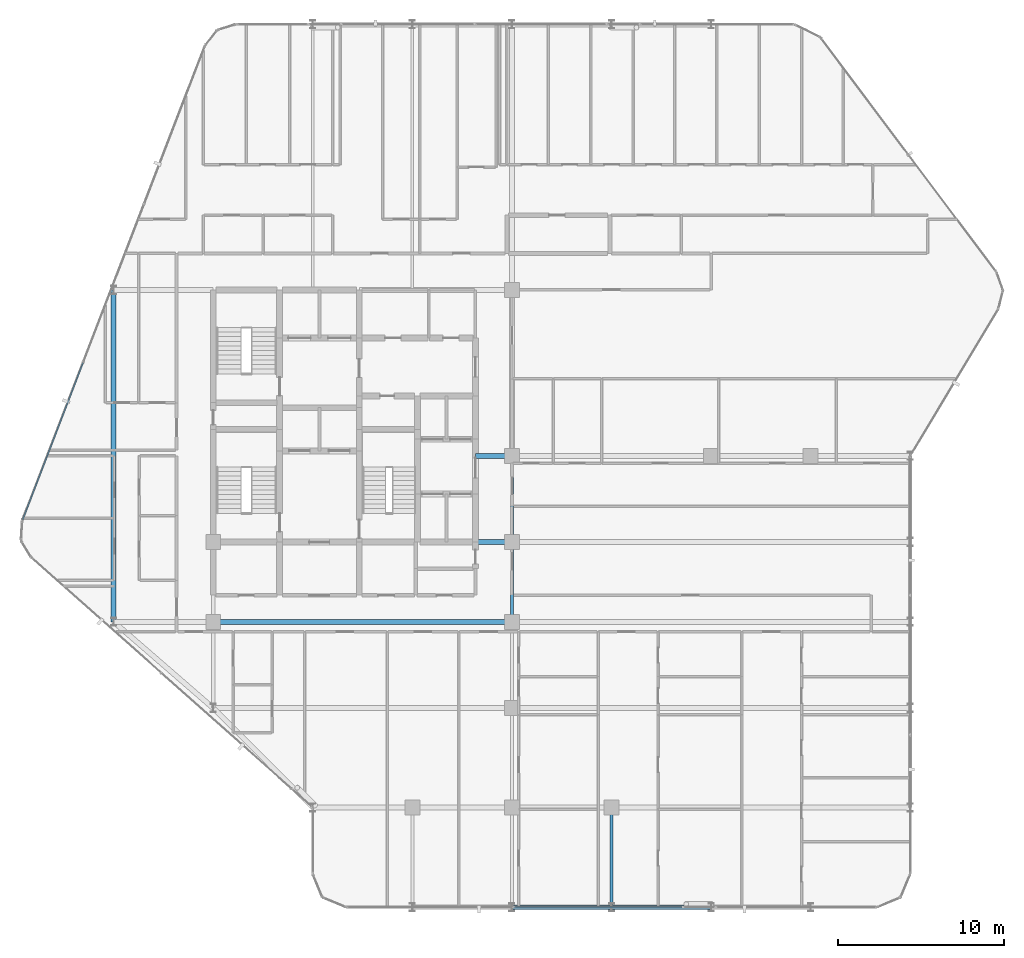
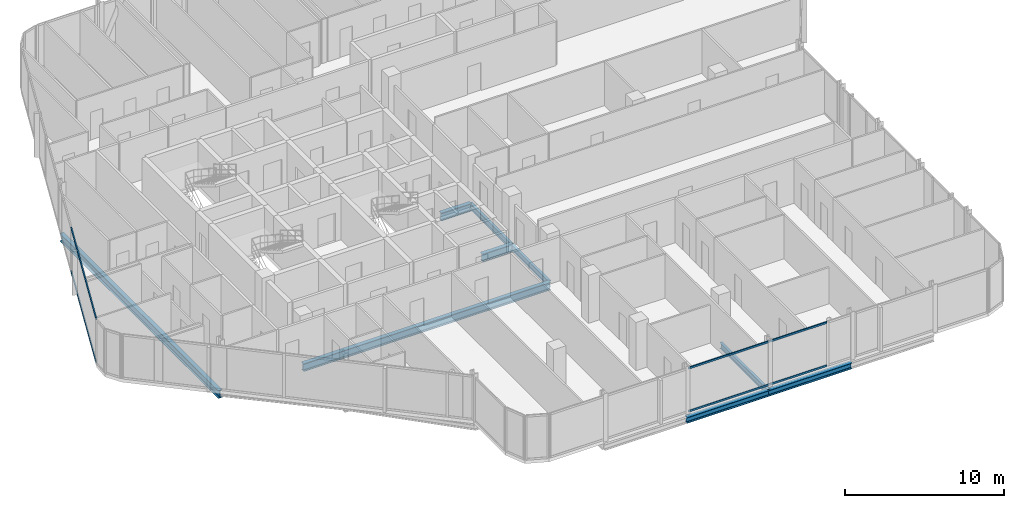
# One storey, part 8 of 31: 9 beams, 4 members, 2 elements without a shape of their own.
"""IFC4 building model written with IfcOpenShell, lengths in metres."""

from ifc_helpers import new_model, si_unit, direction, frame, origin, origin_2d, place, context, subcontext, project, spatial, hollow_rectangle, i_section, extrude, material, layer, layer_set, material_profile, profile_set, type_object, element, aggregate, save


model = new_model("IFC4")

# Units and contexts
model_context = context("Model", 3, precision=1e-05, world=origin(), true_north=direction((0.0, 1.0)))
body_context = subcontext(model_context, "Body", "Model", "MODEL_VIEW")
ifc_project = project(units=[si_unit("LENGTHUNIT", "METRE"), si_unit("AREAUNIT", "SQUARE_METRE"), si_unit("VOLUMEUNIT", "CUBIC_METRE"), si_unit("PLANEANGLEUNIT", "RADIAN"), si_unit("MASSUNIT", "GRAM", prefix="KILO")], contexts=[model_context])

# Site, building, storey
site_placement = place(None, origin())
site = spatial("IfcSite", under=ifc_project, at=site_placement, CompositionType="ELEMENT")
building_placement = place(site_placement, origin())
building = spatial("IfcBuilding", under=site, at=building_placement, Name="Keshet Zoharim Tower", CompositionType="ELEMENT")
storey_placement = place(building_placement, frame((0.0, 0.0, 148.300048828125)))
storey = spatial("IfcBuildingStorey", under=building, at=storey_placement, Name="L36", CompositionType="ELEMENT", Elevation=148.300048828125)

# Beams
ifc_material_1 = material(Name="Steel S355", Category="steel")
ifc_material_profile_1 = material_profile(ifc_material_1, i_section(OverallWidth=0.300048828125, OverallDepth=0.60009765625, WebThickness=0.015380859375, FlangeThickness=0.030029296875, FilletRadius=0.027099609375, at=origin_2d()), Name="HEB600")
ifc_profile_set_1 = profile_set([ifc_material_profile_1], Name="Steel S355")
beam_type_1 = type_object("IfcBeamType", Name="BM-CLK-HB600", PredefinedType="BEAM", material=ifc_profile_set_1)
for number, where, z_axis, x_axis, name in (
    (1, (30.800048828125, 22.699951171875, -0.614990234375), (1.0, 0.0, 0.0), (0.0, 1.0, 0.0), "L36 Core Wall Link Girder 01"),
    (2, (30.800048828125, 27.89990234375, -0.614990234375), (1.0, 0.0, 0.0), (0.0, 1.0, 0.0), "L36 Core Wall Link Girder 02"),
):
    element("IfcBeam", number, at=place(storey_placement, frame(where, z_axis=z_axis, x_axis=x_axis)), inside=storey, type_object=beam_type_1, Name=name, PredefinedType="BEAM", context=body_context, shape_type="SweptSolid", body=[
        extrude(i_section(OverallWidth=0.300048828125, OverallDepth=0.60009765625, WebThickness=0.015380859375, FlangeThickness=0.030029296875, FilletRadius=0.027099609375, at=origin_2d()), origin(), (0.0, 0.0, 1.0), 2.199951171875),
    ])
ifc_material_profile_2 = material_profile(ifc_material_1, i_section(OverallWidth=0.300048828125, OverallDepth=0.60009765625, WebThickness=0.015380859375, FlangeThickness=0.030029296875, FilletRadius=0.027099609375, at=origin_2d()), Name="HEB600")
ifc_profile_set_2 = profile_set([ifc_material_profile_2], Name="Steel S355")
beam_type_2 = type_object("IfcBeamType", Name="BM-LNG-HB600", PredefinedType="BEAM", material=ifc_profile_set_2)
beam_1_placement = place(storey_placement, frame((15.0, 17.89990234375, -0.614990234375), z_axis=(1.0, 0.0, 0.0), x_axis=(0.0, 1.0, 0.0)))
element("IfcBeam", 3, at=beam_1_placement, inside=storey, type_object=beam_type_2, Name="L36 Primary Girder X-012", PredefinedType="BEAM", context=body_context, shape_type="SweptSolid", body=[
    extrude(i_section(OverallWidth=0.300048828125, OverallDepth=0.60009765625, WebThickness=0.015380859375, FlangeThickness=0.030029296875, FilletRadius=0.027099609375, at=origin_2d()), origin(), (0.0, 0.0, 1.0), 18.0),
])
beam_2_placement = place(storey_placement, frame((9.0, 17.89990234375, -0.614990234375), z_axis=(0.0, 1.0, 0.0), x_axis=(-1.0, 0.0, 0.0)))
element("IfcBeam", 4, at=beam_2_placement, inside=storey, type_object=beam_type_2, Name="L36 Primary Girder Y-001", PredefinedType="BEAM", context=body_context, shape_type="SweptSolid", body=[
    extrude(i_section(OverallWidth=0.300048828125, OverallDepth=0.60009765625, WebThickness=0.015380859375, FlangeThickness=0.030029296875, FilletRadius=0.027099609375, at=origin_2d()), origin(), (0.0, 0.0, 1.0), 20.0),
])
ifc_material_profile_3 = material_profile(ifc_material_1, i_section(OverallWidth=0.18994140625, OverallDepth=0.449951171875, WebThickness=0.009521484375, FlangeThickness=0.0146484375, FilletRadius=0.02099609375, at=origin_2d()), Name="IPE450")
ifc_profile_set_3 = profile_set([ifc_material_profile_3], Name="Steel S355")
beam_type_3 = type_object("IfcBeamType", Name="BM-PRI-IP450", PredefinedType="BEAM", material=ifc_profile_set_3)
beam_3_placement = place(storey_placement, frame((33.0, 17.89990234375, -0.5400390625), z_axis=(0.0, 1.0, 0.0), x_axis=(-1.0, 0.0, 0.0)))
element("IfcBeam", 5, at=beam_3_placement, inside=storey, type_object=beam_type_3, Name="L36 Primary Girder Y-008", PredefinedType="BEAM", context=body_context, shape_type="SweptSolid", body=[
    extrude(i_section(OverallWidth=0.18994140625, OverallDepth=0.449951171875, WebThickness=0.009521484375, FlangeThickness=0.0146484375, FilletRadius=0.02099609375, at=origin_2d()), origin(), (0.0, 0.0, 1.0), 4.800048828125),
])
beam_4_placement = place(storey_placement, frame((33.0, 22.699951171875, -0.5400390625), z_axis=(0.0, 1.0, 0.0), x_axis=(-1.0, 0.0, 0.0)))
element("IfcBeam", 6, at=beam_4_placement, inside=storey, type_object=beam_type_3, Name="L36 Primary Girder Y-009", PredefinedType="BEAM", context=body_context, shape_type="SweptSolid", body=[
    extrude(i_section(OverallWidth=0.18994140625, OverallDepth=0.449951171875, WebThickness=0.009521484375, FlangeThickness=0.0146484375, FilletRadius=0.02099609375, at=origin_2d()), origin(), (0.0, 0.0, 1.0), 5.199951171875),
])
beam_5_placement = place(storey_placement, frame((39.0, 0.699951171875, -0.5400390625), z_axis=(0.0, 1.0, 0.0), x_axis=(-1.0, 0.0, 0.0)))
element("IfcBeam", 7, at=beam_5_placement, inside=storey, type_object=beam_type_3, Name="L36 Primary Girder Y-012", PredefinedType="BEAM", context=body_context, shape_type="SweptSolid", body=[
    extrude(i_section(OverallWidth=0.18994140625, OverallDepth=0.449951171875, WebThickness=0.009521484375, FlangeThickness=0.0146484375, FilletRadius=0.02099609375, at=origin_2d()), origin(), (0.0, 0.0, 1.0), 6.0),
])
ifc_material_profile_4 = material_profile(ifc_material_1, i_section(OverallWidth=0.300048828125, OverallDepth=0.449951171875, WebThickness=0.013916015625, FlangeThickness=0.02587890625, FilletRadius=0.027099609375, at=origin_2d()), Name="HEB450")
ifc_profile_set_4 = profile_set([ifc_material_profile_4], Name="Steel S355")
beam_type_4 = type_object("IfcBeamType", Name="BM-WEB-HB450", PredefinedType="BEAM", material=ifc_profile_set_4)
for number, where, z_axis, x_axis, name in (
    (8, (33.0, 0.699951171875, -0.5400390625), (1.0, 0.0, 0.0), (0.0, 1.0, 0.0), "L36 Primary Girder X-002"),
    (9, (39.0, 0.699951171875, -0.5400390625), (1.0, 0.0, 0.0), (0.0, 1.0, 0.0), "L36 Primary Girder X-003"),
):
    element("IfcBeam", number, at=place(storey_placement, frame(where, z_axis=z_axis, x_axis=x_axis)), inside=storey, type_object=beam_type_4, Name=name, PredefinedType="BEAM", context=body_context, shape_type="SweptSolid", body=[
        extrude(i_section(OverallWidth=0.300048828125, OverallDepth=0.449951171875, WebThickness=0.013916015625, FlangeThickness=0.02587890625, FilletRadius=0.027099609375, at=origin_2d()), origin(), (0.0, 0.0, 1.0), 6.0),
    ])

# Curtain wall, members
ifc_material_2 = material(Name="Aluminium 6063-T6", Category="aluminium")
ifc_layer = layer(ifc_material_2, 0.159912109375)
ifc_layer_set = layer_set([ifc_layer], Name="Aluminium 6063-T6")
curtain_wall_type = type_object("IfcCurtainWallType", Name="CW-SYS-03", PredefinedType="NOTDEFINED", material=ifc_layer_set)
curtain_wall_1_placement = place(storey_placement, origin())
curtain_wall_1 = element("IfcCurtainWall", 10, at=curtain_wall_1_placement, inside=storey, type_object=curtain_wall_type, Name="L36 Unitised Curtain Wall 03 Part 3", PredefinedType="NOTDEFINED")
ifc_material_profile_5 = material_profile(ifc_material_2, hollow_rectangle(XDim=0.080078125, YDim=0.139892578125, WallThickness=0.00390625, at=origin_2d()), Name="TRN-80x140")
ifc_profile_set_5 = profile_set([ifc_material_profile_5], Name="Aluminium 6063-T6")
member_type = type_object("IfcMemberType", Name="CWT-T14", PredefinedType="USERDEFINED", material=ifc_profile_set_5)
member_1_placement = place(storey_placement, frame((43.251953125, 0.699951171875, 0.034912109375), z_axis=(-1.0, 0.0, 0.0), x_axis=(0.0, -1.0, 0.0)))
member_1 = element("IfcMember", 11, at=member_1_placement, type_object=member_type, Name="CW-03 transom 1.1", ObjectType="TRANSOM", PredefinedType="USERDEFINED", context=body_context, shape_type="SweptSolid", body=[
    extrude(hollow_rectangle(XDim=0.080078125, YDim=0.139892578125, WallThickness=0.00390625, at=origin_2d()), origin(), (0.0, 0.0, 1.0), 10.091064453125),
])
member_2_placement = place(storey_placement, frame((43.251953125, 0.699951171875, 3.349853515625), z_axis=(-1.0, 0.0, 0.0), x_axis=(0.0, -1.0, 0.0)))
member_2 = element("IfcMember", 12, at=member_2_placement, type_object=member_type, Name="CW-03 transom 1.2", ObjectType="TRANSOM", PredefinedType="USERDEFINED", context=body_context, shape_type="SweptSolid", body=[
    extrude(hollow_rectangle(XDim=0.080078125, YDim=0.139892578125, WallThickness=0.00390625, at=origin_2d()), origin(), (0.0, 0.0, 1.0), 10.091064453125),
])
aggregate(curtain_wall_1, [member_1, member_2])

curtain_wall_2_placement = place(storey_placement, origin())
curtain_wall_2 = element("IfcCurtainWall", 13, at=curtain_wall_2_placement, inside=storey, type_object=curtain_wall_type, Name="L36 Unitised Curtain Wall 10", PredefinedType="NOTDEFINED")
member_3_placement = place(storey_placement, frame((3.522216796875, 24.058349609375, 0.034912109375), z_axis=(0.358993631387, 0.93334000912, 0.0), x_axis=(-0.93334000912, 0.358993631387, 0.0)))
member_3 = element("IfcMember", 14, at=member_3_placement, type_object=member_type, Name="CW-03 transom 1.1", ObjectType="TRANSOM", PredefinedType="USERDEFINED", context=body_context, shape_type="SweptSolid", body=[
    extrude(hollow_rectangle(XDim=0.080078125, YDim=0.139892578125, WallThickness=0.00390625, at=origin_2d()), origin(), (0.0, 0.0, 1.0), 10.1181640625),
])
member_4_placement = place(storey_placement, frame((3.522216796875, 24.058349609375, 3.349853515625), z_axis=(0.358993631387, 0.93334000912, 0.0), x_axis=(-0.93334000912, 0.358993631387, 0.0)))
member_4 = element("IfcMember", 15, at=member_4_placement, type_object=member_type, Name="CW-03 transom 1.2", ObjectType="TRANSOM", PredefinedType="USERDEFINED", context=body_context, shape_type="SweptSolid", body=[
    extrude(hollow_rectangle(XDim=0.080078125, YDim=0.139892578125, WallThickness=0.00390625, at=origin_2d()), origin(), (0.0, 0.0, 1.0), 10.1181640625),
])
aggregate(curtain_wall_2, [member_3, member_4])

save(model, "model.ifc")
